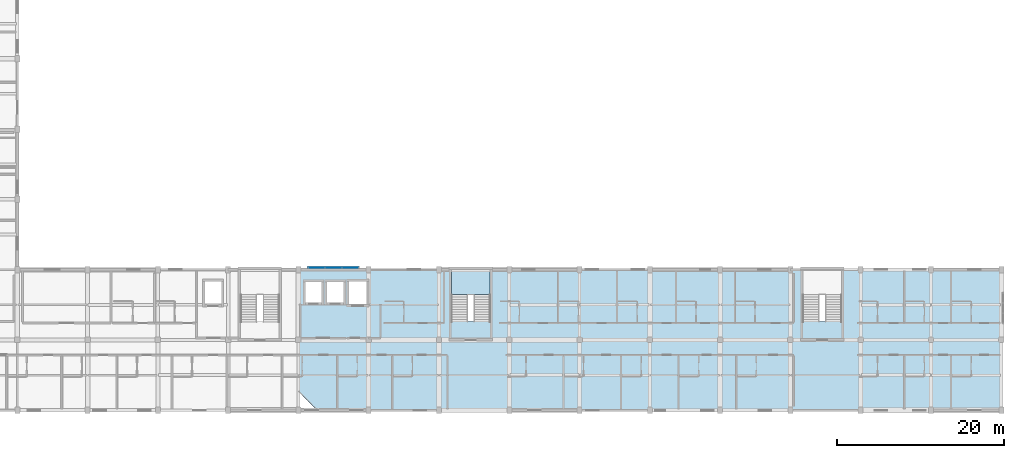
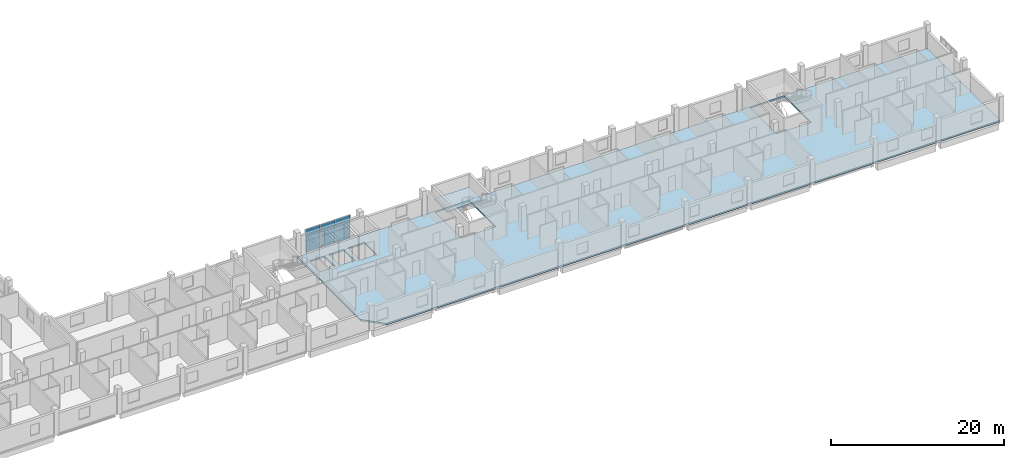
# One storey, part 9 of 26: 6 plates, 2 slabs, 2 elements without a shape of their own.
"""IFC4 building model written with IfcOpenShell, lengths in metres."""

import ifcopenshell
import ifcopenshell.guid

model = None  # the IFC model being written
_history = None  # IfcOwnerHistory: only IFC2X3 demands one
_inside = {}  # id of a spatial element -> (the spatial element, [elements in it])
_under = {}  # id of a project, library or spatial element -> (it, [spatial elements below it])
_declared = {}  # id of a project -> (the project, [libraries it declares])
_typed = {}  # id of a type object -> (the type object, [elements of that type])
_made_of = {}  # id of a material, layer set ... -> (it, [elements and type objects made of it])


def new_model(schema):
    """Start an empty IFC model of exactly this schema.

    Asked for "IFC4X3", IfcOpenShell would pick the latest addendum, in which some entities
    have other attributes; the version numbers below select the first issue.
    IFC2X3 requires an IfcOwnerHistory on every rooted entity: one is made here for all.
    """
    global model, _history
    if schema == "IFC4X3":
        model = ifcopenshell.file(schema_version=(4, 3, 0, 0))
    else:
        model = ifcopenshell.file(schema=schema)
    _inside.clear()
    _under.clear()
    _declared.clear()
    _typed.clear()
    _made_of.clear()
    _history = None
    if model.schema == "IFC2X3":
        org = make("IfcOrganization", Name="unknown")
        user = make(
            "IfcPersonAndOrganization",
            ThePerson=make("IfcPerson", FamilyName="unknown"),
            TheOrganization=org,
        )
        app = make(
            "IfcApplication",
            ApplicationDeveloper=org,
            Version="unknown",
            ApplicationFullName="unknown",
            ApplicationIdentifier="unknown",
        )
        _history = make(
            "IfcOwnerHistory",
            OwningUser=user,
            OwningApplication=app,
            ChangeAction="ADDED",
            CreationDate=0,
        )
    return model


def make(cls, **values):
    """One entity of the class cls with the attributes given. An attribute that is None is left unset."""
    return model.create_entity(
        cls, **{name: value for name, value in values.items() if value is not None}
    )


def rooted(cls, **values):
    """An entity with a GlobalId (a new one), such as an element, a storey or a relation."""
    return make(cls, GlobalId=ifcopenshell.guid.new(), OwnerHistory=_history, **values)


def si_unit(unit_type, name, prefix=None):
    """IfcSIUnit, for example si_unit("LENGTHUNIT", "METRE", prefix="MILLI")."""
    return make("IfcSIUnit", UnitType=unit_type, Prefix=prefix, Name=name)


def derived_unit(unit_type, elements):
    """IfcDerivedUnit: a product of units, each with its exponent."""
    return make(
        "IfcDerivedUnit",
        Elements=[
            make("IfcDerivedUnitElement", Unit=unit, Exponent=power)
            for unit, power in elements
        ],
        UnitType=unit_type,
    )


def assignment(units):
    """IfcUnitAssignment: the units of a project."""
    return None if units is None else make("IfcUnitAssignment", Units=units)


def point(xyz):
    """IfcCartesianPoint."""
    return None if xyz is None else make("IfcCartesianPoint", Coordinates=xyz)


def direction(xyz):
    """IfcDirection."""
    return None if xyz is None else make("IfcDirection", DirectionRatios=xyz)


def frame(location, z_axis=None, x_axis=None):
    """IfcAxis2Placement3D, a coordinate frame: its origin and axes. An axis left out is left unset."""
    return make(
        "IfcAxis2Placement3D",
        Location=point(location),
        Axis=direction(z_axis),
        RefDirection=direction(x_axis),
    )


def frame_2d(location, x_axis=None):
    """IfcAxis2Placement2D, a coordinate frame in the plane: its origin and x axis."""
    return make(
        "IfcAxis2Placement2D", Location=point(location), RefDirection=direction(x_axis)
    )


def origin():
    """The frame at (0, 0, 0) with its axes left unset."""
    return frame((0.0, 0.0, 0.0))


def origin_2d():
    """The frame at (0, 0) in the plane with its x axis left unset."""
    return frame_2d((0.0, 0.0))


def place(relative_to, where):
    """IfcLocalPlacement: puts the frame where relative to a parent placement (None: the world)."""
    return make(
        "IfcLocalPlacement", PlacementRelTo=relative_to, RelativePlacement=where
    )


def context(
    kind, dimensions, precision=None, world=None, true_north=None, identifier=None
):
    """IfcGeometricRepresentationContext, for example the 3D "Model" context."""
    return make(
        "IfcGeometricRepresentationContext",
        ContextIdentifier=identifier,
        ContextType=kind,
        CoordinateSpaceDimension=dimensions,
        Precision=precision,
        WorldCoordinateSystem=world,
        TrueNorth=true_north,
    )


def subcontext(parent, identifier, kind, view, scale=None):
    """IfcGeometricRepresentationSubContext, for example "Body" below "Model"."""
    return make(
        "IfcGeometricRepresentationSubContext",
        ContextIdentifier=identifier,
        ContextType=kind,
        ParentContext=parent,
        TargetScale=scale,
        TargetView=view,
    )


def project(units=None, contexts=None):
    """IfcProject with its units and contexts."""
    return rooted(
        "IfcProject",
        Name="project",
        RepresentationContexts=contexts,
        UnitsInContext=assignment(units),
    )


def spatial(cls, under=None, at=None, **own):
    """A site, building, storey or space (cls), placed at a placement, below another one or the project."""
    s = rooted(cls, ObjectPlacement=at, **own)
    if under is not None:
        _under.setdefault(under.id(), (under, []))[1].append(s)
    return s


def polyline(points):
    """IfcPolyline through the points."""
    return make("IfcPolyline", Points=[point(p) for p in points])


def profile(cls, at=None, kind="AREA", **sizes):
    """A parametric profile (cls). Its sizes go by their IFC names, for example OverallWidth=200.0."""
    return make(cls, ProfileType=kind, Position=at, **sizes)


def rectangle(**sizes):
    """IfcRectangleProfileDef."""
    return profile("IfcRectangleProfileDef", **sizes)


def outline(outer, holes=None, kind="AREA"):
    """IfcArbitraryClosedProfileDef: a profile drawn as a closed curve; with holes, ...WithVoids."""
    if holes is None:
        return make("IfcArbitraryClosedProfileDef", ProfileType=kind, OuterCurve=outer)
    return make(
        "IfcArbitraryProfileDefWithVoids",
        ProfileType=kind,
        OuterCurve=outer,
        InnerCurves=holes,
    )


def extrude(swept, where, along, depth):
    """IfcExtrudedAreaSolid: the profile swept, set in the frame where, extruded along a direction by depth."""
    return make(
        "IfcExtrudedAreaSolid",
        SweptArea=swept,
        Position=where,
        ExtrudedDirection=direction(along),
        Depth=depth,
    )


def shape(context_of_items, identifier, shape_type, items):
    """IfcShapeRepresentation: the items that make up one representation, for example the "Body"."""
    return make(
        "IfcShapeRepresentation",
        ContextOfItems=context_of_items,
        RepresentationIdentifier=identifier,
        RepresentationType=shape_type,
        Items=items,
    )


def material(Name=None, Category=None):
    """IfcMaterial."""
    return make("IfcMaterial", Name=Name, Category=Category)


def layer(
    of_material, thickness, ventilated=None, Name=None, Category=None, Priority=None
):
    """IfcMaterialLayer: one layer of a wall or slab, of a material (None: an air gap)."""
    return make(
        "IfcMaterialLayer",
        Material=of_material,
        LayerThickness=thickness,
        IsVentilated=ventilated,
        Name=Name,
        Category=Category,
        Priority=Priority,
    )


def layer_set(layers, Name=None):
    """IfcMaterialLayerSet."""
    return make("IfcMaterialLayerSet", MaterialLayers=layers, LayerSetName=Name)


def made_of(thing, what):
    """Note that an element or type object is made of a material, layer set ...; save() writes the relation."""
    if what is not None:
        _made_of.setdefault(what.id(), (what, []))[1].append(thing)
    return thing


def type_object(cls, material=None, **own):
    """A type object (cls), such as IfcWallType, which elements share."""
    return made_of(rooted(cls, **own), material)


def element(
    cls,
    number,
    at=None,
    inside=None,
    cuts=None,
    type_object=None,
    material=None,
    context=None,
    identifier="Body",
    shape_type=None,
    held_by="IfcProductDefinitionShape",
    body=None,
    shapes=None,
    **own,
):
    """One element of the class cls, such as IfcWall. Its Tag is "e" and its number.

    at: its placement. inside: the storey or other place that contains it. cuts: it is an
    opening in that element (IfcRelVoidsElement). A single representation is given by context,
    identifier, shape_type and body (its items); several are given by shapes. held_by: the class
    of the entity that holds the representations. save() writes the other relations.
    """
    e = rooted(cls, Tag="e%d" % number, ObjectPlacement=at, **own)
    if body is not None:
        shapes = [shape(context, identifier, shape_type, body)]
    if shapes is not None:
        e.Representation = make(held_by, Representations=shapes)
    if inside is not None:
        _inside.setdefault(inside.id(), (inside, []))[1].append(e)
    if cuts is not None:
        rooted(
            "IfcRelVoidsElement", RelatingBuildingElement=cuts, RelatedOpeningElement=e
        )
    if type_object is not None:
        _typed.setdefault(type_object.id(), (type_object, []))[1].append(e)
    return made_of(e, material)


def aggregate(whole, parts):
    """IfcRelAggregates: a whole, such as a stair, and the parts it consists of."""
    return rooted("IfcRelAggregates", RelatingObject=whole, RelatedObjects=parts)


def save(model, path):
    """Write the relations noted so far, then the file.

    IfcRelAggregates (storeys below a building ...), IfcRelContainedInSpatialStructure (elements
    in a storey), IfcRelDefinesByType, IfcRelAssociatesMaterial and IfcRelDeclares: one each for
    every whole, place, type object, material and project.
    """
    for whole, parts in _under.values():
        aggregate(whole, parts)
    for where, things in _inside.values():
        rooted(
            "IfcRelContainedInSpatialStructure",
            RelatedElements=things,
            RelatingStructure=where,
        )
    for kind, things in _typed.values():
        rooted("IfcRelDefinesByType", RelatedObjects=things, RelatingType=kind)
    for what, things in _made_of.values():
        rooted("IfcRelAssociatesMaterial", RelatedObjects=things, RelatingMaterial=what)
    for by, libraries in _declared.values():
        rooted("IfcRelDeclares", RelatingContext=by, RelatedDefinitions=libraries)
    model.write(path)


model = new_model("IFC4")

# Units and contexts
model_context = context("Model", 3, precision=1e-05, world=origin(), true_north=direction((0.0, 1.0)))
body_context = subcontext(model_context, "Body", "Model", "MODEL_VIEW")
ifc_project = project(units=[si_unit("LENGTHUNIT", "METRE"), si_unit("AREAUNIT", "SQUARE_METRE"), si_unit("VOLUMEUNIT", "CUBIC_METRE"), si_unit("PLANEANGLEUNIT", "RADIAN"), si_unit("MASSUNIT", "GRAM", prefix="KILO"), derived_unit("THERMALTRANSMITTANCEUNIT", [(si_unit("POWERUNIT", "WATT"), 1), (si_unit("LENGTHUNIT", "METRE"), -2), (si_unit("THERMODYNAMICTEMPERATUREUNIT", "KELVIN"), -1)])], contexts=[model_context])

# Site, building, storey
site_placement = place(None, origin())
site = spatial("IfcSite", under=ifc_project, at=site_placement, CompositionType="ELEMENT")
building_placement = place(site_placement, origin())
building = spatial("IfcBuilding", under=site, at=building_placement, Name="Barrovel Congress Hotel", CompositionType="ELEMENT")
storey_placement = place(building_placement, frame((0.0, 0.0, 21.89990234375)))
storey = spatial("IfcBuildingStorey", under=building, at=storey_placement, Name="L05", CompositionType="ELEMENT", Elevation=21.89990234375)

# Curtain wall, plates
ifc_material_1 = material(Name="Anodised Aluminium Alloy 6063-T6", Category="aluminium")
curtain_wall_type = type_object("IfcCurtainWallType", Name="CW-UN-6000x3200", PredefinedType="USERDEFINED", material=ifc_material_1)
curtain_wall_placement = place(storey_placement, origin())
curtain_wall = element("IfcCurtainWall", 1, at=curtain_wall_placement, inside=storey, type_object=curtain_wall_type, Name="CW:L05:UN-4", ObjectType="UNITISED CURTAIN WALL", PredefinedType="USERDEFINED")
ifc_material_2 = material(Name="Double Low-E Insulated Glazing", Category="glass")
ifc_layer_1 = layer(ifc_material_2, 0.028076171875)
ifc_layer_set_1 = layer_set([ifc_layer_1], Name="Double Low-E Insulated Glazing")
plate_type = type_object("IfcPlateType", Name="CWP-28", PredefinedType="CURTAIN_PANEL", material=ifc_layer_set_1)
plate_1_placement = place(storey_placement, frame((86.199951171875, 21.219970703125, 0.030029296875), z_axis=(0.0, 0.0, 1.0), x_axis=(1.0, 0.0, 0.0)))
plate_1 = element("IfcPlate", 2, at=plate_1_placement, type_object=plate_type, Name="CW:L05:UN-4:P0-0", PredefinedType="CURTAIN_PANEL", context=body_context, shape_type="SweptSolid", body=[
    extrude(rectangle(XDim=1.93994140625, YDim=0.028076171875, at=origin_2d()), origin(), (0.0, 0.0, 1.0), 1.56494140625),
])
plate_2_placement = place(storey_placement, frame((86.199951171875, 21.219970703125, 1.655029296875), z_axis=(0.0, 0.0, 1.0), x_axis=(1.0, 0.0, 0.0)))
plate_2 = element("IfcPlate", 3, at=plate_2_placement, type_object=plate_type, Name="CW:L05:UN-4:P0-1", PredefinedType="CURTAIN_PANEL", context=body_context, shape_type="SweptSolid", body=[
    extrude(rectangle(XDim=1.93994140625, YDim=0.028076171875, at=origin_2d()), origin(), (0.0, 0.0, 1.0), 1.56494140625),
])
plate_3_placement = place(storey_placement, frame((88.199951171875, 21.219970703125, 0.030029296875), z_axis=(0.0, 0.0, 1.0), x_axis=(1.0, 0.0, 0.0)))
plate_3 = element("IfcPlate", 4, at=plate_3_placement, type_object=plate_type, Name="CW:L05:UN-4:P1-0", PredefinedType="CURTAIN_PANEL", context=body_context, shape_type="SweptSolid", body=[
    extrude(rectangle(XDim=1.93994140625, YDim=0.028076171875, at=origin_2d()), origin(), (0.0, 0.0, 1.0), 1.56494140625),
])
plate_4_placement = place(storey_placement, frame((88.199951171875, 21.219970703125, 1.655029296875), z_axis=(0.0, 0.0, 1.0), x_axis=(1.0, 0.0, 0.0)))
plate_4 = element("IfcPlate", 5, at=plate_4_placement, type_object=plate_type, Name="CW:L05:UN-4:P1-1", PredefinedType="CURTAIN_PANEL", context=body_context, shape_type="SweptSolid", body=[
    extrude(rectangle(XDim=1.93994140625, YDim=0.028076171875, at=origin_2d()), origin(), (0.0, 0.0, 1.0), 1.56494140625),
])
plate_5_placement = place(storey_placement, frame((90.199951171875, 21.219970703125, 0.030029296875), z_axis=(0.0, 0.0, 1.0), x_axis=(1.0, 0.0, 0.0)))
plate_5 = element("IfcPlate", 6, at=plate_5_placement, type_object=plate_type, Name="CW:L05:UN-4:P2-0", PredefinedType="CURTAIN_PANEL", context=body_context, shape_type="SweptSolid", body=[
    extrude(rectangle(XDim=1.93994140625, YDim=0.028076171875, at=origin_2d()), origin(), (0.0, 0.0, 1.0), 1.56494140625),
])
plate_6_placement = place(storey_placement, frame((90.199951171875, 21.219970703125, 1.655029296875), z_axis=(0.0, 0.0, 1.0), x_axis=(1.0, 0.0, 0.0)))
plate_6 = element("IfcPlate", 7, at=plate_6_placement, type_object=plate_type, Name="CW:L05:UN-4:P2-1", PredefinedType="CURTAIN_PANEL", context=body_context, shape_type="SweptSolid", body=[
    extrude(rectangle(XDim=1.93994140625, YDim=0.028076171875, at=origin_2d()), origin(), (0.0, 0.0, 1.0), 1.56494140625),
])
aggregate(curtain_wall, [plate_1, plate_2, plate_3, plate_4, plate_5, plate_6])

# Slab
ifc_material_3 = material(Name="Concrete C35", Category="concrete")
ifc_layer_2 = layer(ifc_material_3, 0.219970703125)
ifc_layer_set_2 = layer_set([ifc_layer_2], Name="Concrete C35")
slab_type_1 = type_object("IfcSlabType", Name="SL-F220", PredefinedType="FLOOR", material=ifc_layer_set_2)
slab_1_placement = place(storey_placement, frame((0.0, 0.0, -0.219970703125)))
element("IfcSlab", 8, at=slab_1_placement, inside=storey, type_object=slab_type_1, Name="SLAB:L05:HOT-S2", PredefinedType="FLOOR", context=body_context, shape_type="SweptSolid", body=[
    extrude(outline(polyline([(86.199951171875, 4.199951171875), (168.0, 4.199951171875), (168.0, 21.0), (84.0, 21.0), (84.0, 6.39990234375), (86.199951171875, 4.199951171875)]), holes=[polyline([(102.300048828125, 14.780029296875), (102.300048828125, 20.919921875), (106.89990234375, 20.919921875), (106.89990234375, 14.780029296875), (102.300048828125, 14.780029296875)]), polyline([(144.300048828125, 14.780029296875), (144.300048828125, 20.919921875), (148.89990234375, 20.919921875), (148.89990234375, 14.780029296875), (144.300048828125, 14.780029296875)]), polyline([(84.800048828125, 17.050048828125), (84.800048828125, 19.550048828125), (86.800048828125, 19.550048828125), (86.800048828125, 17.050048828125), (84.800048828125, 17.050048828125)]), polyline([(87.39990234375, 17.050048828125), (87.39990234375, 19.550048828125), (89.39990234375, 19.550048828125), (89.39990234375, 17.050048828125), (87.39990234375, 17.050048828125)]), polyline([(90.0, 16.800048828125), (90.0, 19.60009765625), (92.199951171875, 19.60009765625), (92.199951171875, 16.800048828125), (90.0, 16.800048828125)])]), origin(), (0.0, 0.0, 1.0), 0.219970703125),
])

# Stair, slab
ifc_material_4 = material(Name="Concrete C40", Category="concrete")
stair_type = type_object("IfcStairType", Name="STR-HT-360", PredefinedType="HALF_TURN_STAIR", material=ifc_material_4)
stair_placement = place(storey_placement, origin())
stair = element("IfcStair", 9, at=stair_placement, inside=storey, type_object=stair_type, Name="Exit Stair XS-03 (L05)", PredefinedType="HALF_TURN_STAIR")
ifc_layer_3 = layer(ifc_material_4, 0.22998046875)
ifc_layer_set_3 = layer_set([ifc_layer_3], Name="Concrete C40")
slab_type_2 = type_object("IfcSlabType", Name="SL-LDG-230", PredefinedType="LANDING", material=ifc_layer_set_3)
slab_2_placement = place(storey_placement, frame((0.0, 0.0, 1.570068359375)))
slab_2 = element("IfcSlab", 10, at=slab_2_placement, type_object=slab_type_2, Name="STAIR:XS-03:L05:LDG", PredefinedType="LANDING", context=body_context, shape_type="SweptSolid", body=[
    extrude(outline(polyline([(102.280029296875, 18.010009765625), (106.919921875, 18.010009765625), (106.919921875, 21.02001953125), (102.280029296875, 21.02001953125), (102.280029296875, 18.010009765625)])), origin(), (0.0, 0.0, 1.0), 0.22998046875),
])
aggregate(stair, [slab_2])

save(model, "model.ifc")
